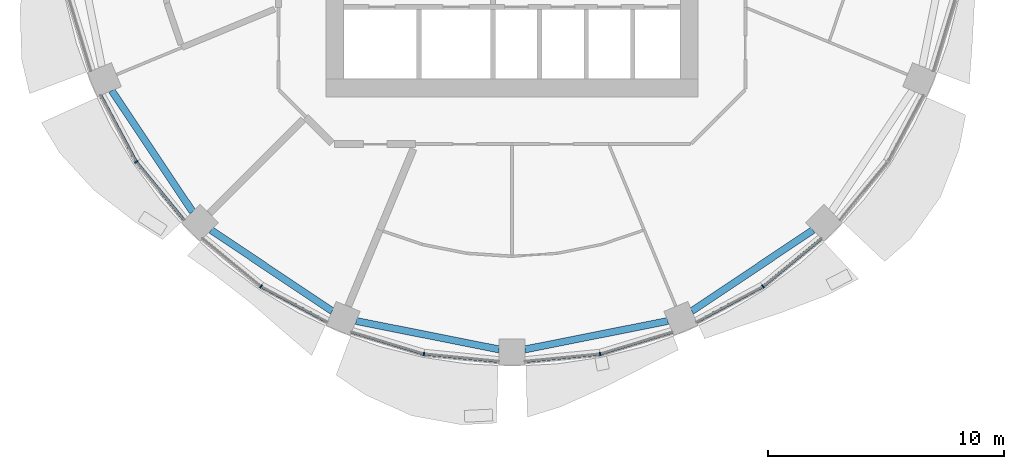
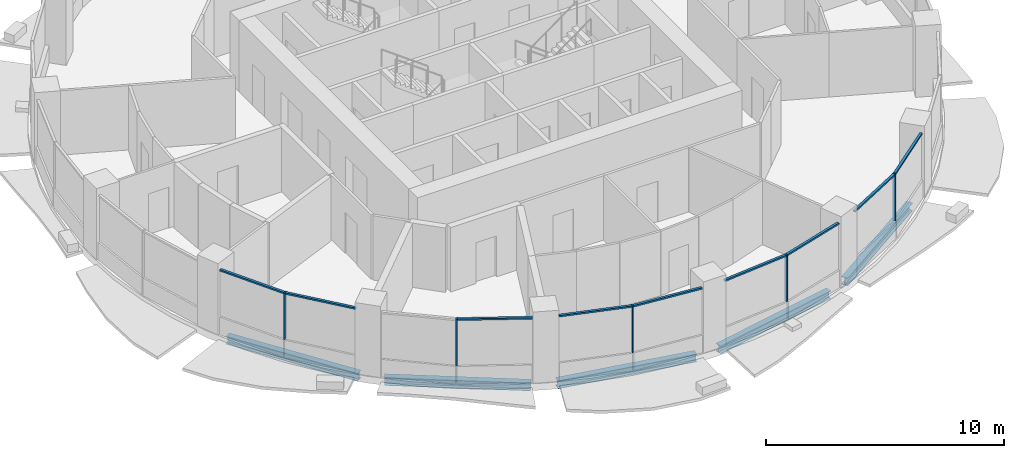
# One storey, part 2 of 14: 14 members, 5 beams, 5 elements without a shape of their own.
"""IFC4 building model written with IfcOpenShell, lengths in metres."""

from ifc_helpers import new_model, si_unit, direction, frame, origin, origin_2d, place, context, subcontext, project, spatial, rectangle, i_section, extrude, material, material_profile, profile_set, type_object, element, aggregate, save


model = new_model("IFC4")

# Units and contexts
model_context = context("Model", 3, precision=1e-05, world=origin(), true_north=direction((0.0, 1.0)))
body_context = subcontext(model_context, "Body", "Model", "MODEL_VIEW")
ifc_project = project(units=[si_unit("LENGTHUNIT", "METRE"), si_unit("AREAUNIT", "SQUARE_METRE"), si_unit("VOLUMEUNIT", "CUBIC_METRE"), si_unit("PLANEANGLEUNIT", "RADIAN"), si_unit("MASSUNIT", "GRAM", prefix="KILO")], contexts=[model_context])

# Site, building, storey
site_placement = place(None, origin())
site = spatial("IfcSite", under=ifc_project, at=site_placement, CompositionType="ELEMENT")
building_placement = place(site_placement, origin())
building = spatial("IfcBuilding", under=site, at=building_placement, Name="Polderwave Tower", CompositionType="ELEMENT")
storey_placement = place(building_placement, frame((0.0, 0.0, 98.300048828125)))
storey = spatial("IfcBuildingStorey", under=building, at=storey_placement, Name="L25", CompositionType="ELEMENT", Elevation=98.300048828125)

# Curtain wall, member
ifc_material_1 = material(Name="Aluminium 6063-T6 and glass", Category="aluminium")
curtain_wall_type = type_object("IfcCurtainWallType", Name="Growing floor ribbon glazing wall", PredefinedType="NOTDEFINED", material=ifc_material_1)
curtain_wall_1_placement = place(storey_placement, origin())
curtain_wall_1 = element("IfcCurtainWall", 1, at=curtain_wall_1_placement, inside=storey, type_object=curtain_wall_type, Name="CW2 L25 09", PredefinedType="NOTDEFINED")
ifc_material_2 = material(Name="Aluminium 6063-T6", Category="aluminium")
ifc_material_profile_1 = material_profile(ifc_material_2, rectangle(XDim=0.14990234375, YDim=0.06005859375, at=origin_2d()), Name="AL 60x150")
ifc_profile_set_1 = profile_set([ifc_material_profile_1], Name="Aluminium 6063-T6")
member_type_1 = type_object("IfcMemberType", Name="Growing floor ribbon glazing mullion 60x150", PredefinedType="MULLION", material=ifc_profile_set_1)
member_1_placement = place(storey_placement, frame((-15.89794921875, -10.623046875, 0.89990234375), z_axis=(0.0, 0.0, 1.0), x_axis=(0.831467672992, 0.555573135393, 0.0)))
member_1 = element("IfcMember", 2, at=member_1_placement, type_object=member_type_1, Name="CW2 mullion 1", PredefinedType="MULLION", context=body_context, shape_type="SweptSolid", body=[
    extrude(rectangle(XDim=0.14990234375, YDim=0.06005859375, at=origin_2d()), origin(), (0.0, 0.0, 1.0), 2.400146484375),
])

curtain_wall_2_placement = place(storey_placement, origin())
curtain_wall_2 = element("IfcCurtainWall", 3, at=curtain_wall_2_placement, inside=storey, type_object=curtain_wall_type, Name="CW2 L25 10", PredefinedType="NOTDEFINED")
member_2_placement = place(storey_placement, frame((-10.623046875, -15.89794921875, 0.89990234375), z_axis=(0.0, 0.0, 1.0), x_axis=(0.555573135393, 0.831467672992, 0.0)))
member_2 = element("IfcMember", 4, at=member_2_placement, type_object=member_type_1, Name="CW2 mullion 1", PredefinedType="MULLION", context=body_context, shape_type="SweptSolid", body=[
    extrude(rectangle(XDim=0.14990234375, YDim=0.06005859375, at=origin_2d()), origin(), (0.0, 0.0, 1.0), 2.400146484375),
])

curtain_wall_3_placement = place(storey_placement, origin())
curtain_wall_3 = element("IfcCurtainWall", 5, at=curtain_wall_3_placement, inside=storey, type_object=curtain_wall_type, Name="CW2 L25 11", PredefinedType="NOTDEFINED")
member_3_placement = place(storey_placement, frame((-3.72998046875, -18.7529296875, 0.89990234375), z_axis=(0.0, 0.0, 1.0), x_axis=(0.195112575278, 0.980780853692, 0.0)))
member_3 = element("IfcMember", 6, at=member_3_placement, type_object=member_type_1, Name="CW2 mullion 1", PredefinedType="MULLION", context=body_context, shape_type="SweptSolid", body=[
    extrude(rectangle(XDim=0.14990234375, YDim=0.06005859375, at=origin_2d()), origin(), (0.0, 0.0, 1.0), 2.400146484375),
])

curtain_wall_4_placement = place(storey_placement, origin())
curtain_wall_4 = element("IfcCurtainWall", 7, at=curtain_wall_4_placement, inside=storey, type_object=curtain_wall_type, Name="CW2 L25 12", PredefinedType="NOTDEFINED")
member_4_placement = place(storey_placement, frame((3.72998046875, -18.7529296875, 0.89990234375), z_axis=(0.0, 0.0, 1.0), x_axis=(-0.195112575278, 0.980780853692, 0.0)))
member_4 = element("IfcMember", 8, at=member_4_placement, type_object=member_type_1, Name="CW2 mullion 1", PredefinedType="MULLION", context=body_context, shape_type="SweptSolid", body=[
    extrude(rectangle(XDim=0.14990234375, YDim=0.06005859375, at=origin_2d()), origin(), (0.0, 0.0, 1.0), 2.400146484375),
])

curtain_wall_5_placement = place(storey_placement, origin())
curtain_wall_5 = element("IfcCurtainWall", 9, at=curtain_wall_5_placement, inside=storey, type_object=curtain_wall_type, Name="CW2 L25 13", PredefinedType="NOTDEFINED")
member_5_placement = place(storey_placement, frame((10.623046875, -15.89794921875, 0.89990234375), z_axis=(0.0, 0.0, 1.0), x_axis=(-0.555573135393, 0.831467672992, 0.0)))
member_5 = element("IfcMember", 10, at=member_5_placement, type_object=member_type_1, Name="CW2 mullion 1", PredefinedType="MULLION", context=body_context, shape_type="SweptSolid", body=[
    extrude(rectangle(XDim=0.14990234375, YDim=0.06005859375, at=origin_2d()), origin(), (0.0, 0.0, 1.0), 2.400146484375),
])

# Member
ifc_material_profile_2 = material_profile(ifc_material_2, rectangle(XDim=0.1201171875, YDim=0.080078125, at=origin_2d()), Name="AL 80x120")
ifc_profile_set_2 = profile_set([ifc_material_profile_2], Name="Aluminium 6063-T6")
member_type_2 = type_object("IfcMemberType", Name="Growing floor ribbon glazing transom 80x120", PredefinedType="USERDEFINED", material=ifc_profile_set_2)
member_6_placement = place(storey_placement, frame((-17.404052734375, -7.803955078125, 3.260009765625), z_axis=(0.471232490074, -0.882009036404, 0.0), x_axis=(0.882009036404, 0.471232490074, 0.0)))
member_6 = element("IfcMember", 11, at=member_6_placement, type_object=member_type_2, Name="CW2 transom 1", ObjectType="TRANSOM", PredefinedType="USERDEFINED", context=body_context, shape_type="SweptSolid", body=[
    extrude(rectangle(XDim=0.1201171875, YDim=0.080078125, at=origin_2d()), origin(), (0.0, 0.0, 1.0), 3.166015625),
])

member_7_placement = place(storey_placement, frame((-15.87890625, -10.646240234375, 3.260009765625), z_axis=(0.634538762198, -0.772891039712, 0.0), x_axis=(0.772891039712, 0.634538762198, 0.0)))
member_7 = element("IfcMember", 12, at=member_7_placement, type_object=member_type_2, Name="CW2 transom 2", ObjectType="TRANSOM", PredefinedType="USERDEFINED", context=body_context, shape_type="SweptSolid", body=[
    extrude(rectangle(XDim=0.1201171875, YDim=0.080078125, at=origin_2d()), origin(), (0.0, 0.0, 1.0), 3.165771484375),
])

aggregate(curtain_wall_1, [member_1, member_6, member_7])

member_8_placement = place(storey_placement, frame((-10.596435546875, -15.912109375, 3.260009765625), z_axis=(0.882009036404, -0.471232490074, 0.0), x_axis=(0.471232490074, 0.882009036404, 0.0)))
member_8 = element("IfcMember", 13, at=member_8_placement, type_object=member_type_2, Name="CW2 transom 2", ObjectType="TRANSOM", PredefinedType="USERDEFINED", context=body_context, shape_type="SweptSolid", body=[
    extrude(rectangle(XDim=0.1201171875, YDim=0.080078125, at=origin_2d()), origin(), (0.0, 0.0, 1.0), 3.166015625),
])

aggregate(curtain_wall_2, [member_2, member_8])

member_9_placement = place(storey_placement, frame((-6.7880859375, -17.824951171875, 3.260009765625), z_axis=(0.956895886584, -0.290431166093, 0.0), x_axis=(0.290431166093, 0.956895886584, 0.0)))
member_9 = element("IfcMember", 14, at=member_9_placement, type_object=member_type_2, Name="CW2 transom 1", ObjectType="TRANSOM", PredefinedType="USERDEFINED", context=body_context, shape_type="SweptSolid", body=[
    extrude(rectangle(XDim=0.1201171875, YDim=0.080078125, at=origin_2d()), origin(), (0.0, 0.0, 1.0), 3.165771484375),
])

member_10_placement = place(storey_placement, frame((-3.7001953125, -18.755859375, 3.260009765625), z_axis=(0.995191003597, -0.097953388713, 0.0), x_axis=(0.097953388713, 0.995191003597, 0.0)))
member_10 = element("IfcMember", 15, at=member_10_placement, type_object=member_type_2, Name="CW2 transom 2", ObjectType="TRANSOM", PredefinedType="USERDEFINED", context=body_context, shape_type="SweptSolid", body=[
    extrude(rectangle(XDim=0.1201171875, YDim=0.080078125, at=origin_2d()), origin(), (0.0, 0.0, 1.0), 3.165283203125),
])

aggregate(curtain_wall_3, [member_3, member_9, member_10])

member_11_placement = place(storey_placement, frame((0.550048828125, -19.06591796875, 3.260009765625), z_axis=(0.995191003597, 0.097953388713, 0.0), x_axis=(-0.097953388713, 0.995191003597, 0.0)))
member_11 = element("IfcMember", 16, at=member_11_placement, type_object=member_type_2, Name="CW2 transom 1", ObjectType="TRANSOM", PredefinedType="USERDEFINED", context=body_context, shape_type="SweptSolid", body=[
    extrude(rectangle(XDim=0.1201171875, YDim=0.080078125, at=origin_2d()), origin(), (0.0, 0.0, 1.0), 3.165283203125),
])

member_12_placement = place(storey_placement, frame((3.7587890625, -18.744384765625, 3.260009765625), z_axis=(0.956895886584, 0.290431166093, 0.0), x_axis=(-0.290431166093, 0.956895886584, 0.0)))
member_12 = element("IfcMember", 17, at=member_12_placement, type_object=member_type_2, Name="CW2 transom 2", ObjectType="TRANSOM", PredefinedType="USERDEFINED", context=body_context, shape_type="SweptSolid", body=[
    extrude(rectangle(XDim=0.1201171875, YDim=0.080078125, at=origin_2d()), origin(), (0.0, 0.0, 1.0), 3.165771484375),
])

aggregate(curtain_wall_4, [member_4, member_11, member_12])

member_13_placement = place(storey_placement, frame((7.803955078125, -17.404052734375, 3.260009765625), z_axis=(0.882009036404, 0.471232490074, 0.0), x_axis=(-0.471232490074, 0.882009036404, 0.0)))
member_13 = element("IfcMember", 18, at=member_13_placement, type_object=member_type_2, Name="CW2 transom 1", ObjectType="TRANSOM", PredefinedType="USERDEFINED", context=body_context, shape_type="SweptSolid", body=[
    extrude(rectangle(XDim=0.1201171875, YDim=0.080078125, at=origin_2d()), origin(), (0.0, 0.0, 1.0), 3.166015625),
])

member_14_placement = place(storey_placement, frame((10.646240234375, -15.87890625, 3.260009765625), z_axis=(0.772891039712, 0.634538762198, 0.0), x_axis=(-0.634538762198, 0.772891039712, 0.0)))
member_14 = element("IfcMember", 19, at=member_14_placement, type_object=member_type_2, Name="CW2 transom 2", ObjectType="TRANSOM", PredefinedType="USERDEFINED", context=body_context, shape_type="SweptSolid", body=[
    extrude(rectangle(XDim=0.1201171875, YDim=0.080078125, at=origin_2d()), origin(), (0.0, 0.0, 1.0), 3.165771484375),
])

aggregate(curtain_wall_5, [member_5, member_13, member_14])

# Beams
ifc_material_3 = material(Name="Steel S355", Category="steel")
ifc_material_profile_3 = material_profile(ifc_material_3, i_section(OverallWidth=0.300048828125, OverallDepth=0.39990234375, WebThickness=0.013427734375, FlangeThickness=0.02392578125, at=origin_2d()), Name="HE 400 B")
ifc_profile_set_3 = profile_set([ifc_material_profile_3], Name="Steel S355")
beam_type = type_object("IfcBeamType", Name="RING BEAM HE 400 B", PredefinedType="BEAM", material=ifc_profile_set_3)
for number, where, z_axis, x_axis, name in (
    (20, (-16.937255859375, -7.611083984375, -0.550048828125), (0.555586625808, -0.831458658758, 0.0), (0.831458658758, 0.555586625808, 0.0), "ST-RB-L25-09"),
    (21, (-12.7353515625, -13.51318359375, -0.550048828125), (0.831458658758, -0.555586625808, 0.0), (0.555586625808, 0.831458658758, 0.0), "ST-RB-L25-10"),
    (22, (-6.5947265625, -17.358154296875, -0.550048828125), (0.980784304918, -0.195095226048, 0.0), (0.195095226048, 0.980784304918, 0.0), "ST-RB-L25-11"),
    (23, (0.550048828125, -18.560546875, -0.550048828125), (0.980784304918, 0.195095226048, 0.0), (-0.195095226048, 0.980784304918, 0.0), "ST-RB-L25-12"),
    (24, (7.611083984375, -16.937255859375, -0.550048828125), (0.831458658758, 0.555586625808, 0.0), (-0.555586625808, 0.831458658758, 0.0), "ST-RB-L25-13"),
):
    element("IfcBeam", number, at=place(storey_placement, frame(where, z_axis=z_axis, x_axis=x_axis)), inside=storey, type_object=beam_type, Name=name, PredefinedType="BEAM", context=body_context, shape_type="SweptSolid", body=[
        extrude(i_section(OverallWidth=0.300048828125, OverallDepth=0.39990234375, WebThickness=0.013427734375, FlangeThickness=0.02392578125, at=origin_2d()), origin(), (0.0, 0.0, 1.0), 6.1630859375),
    ])

save(model, "model.ifc")
